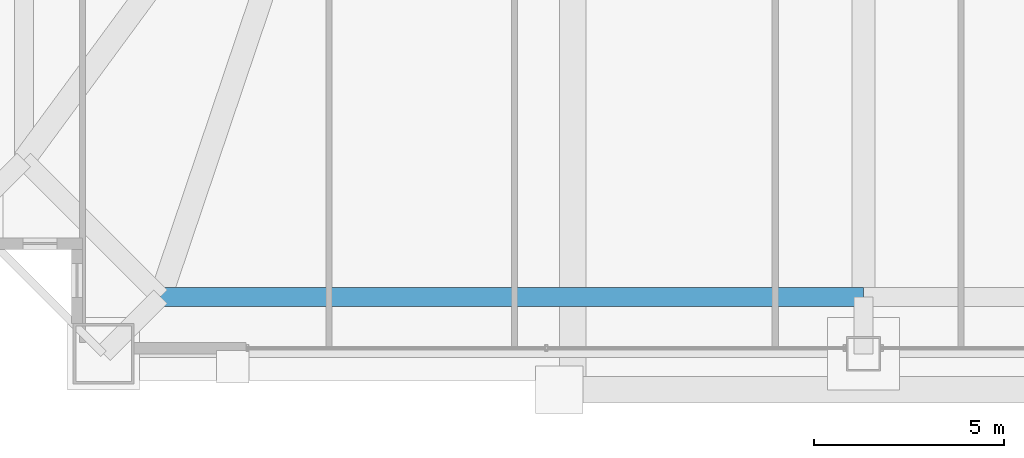
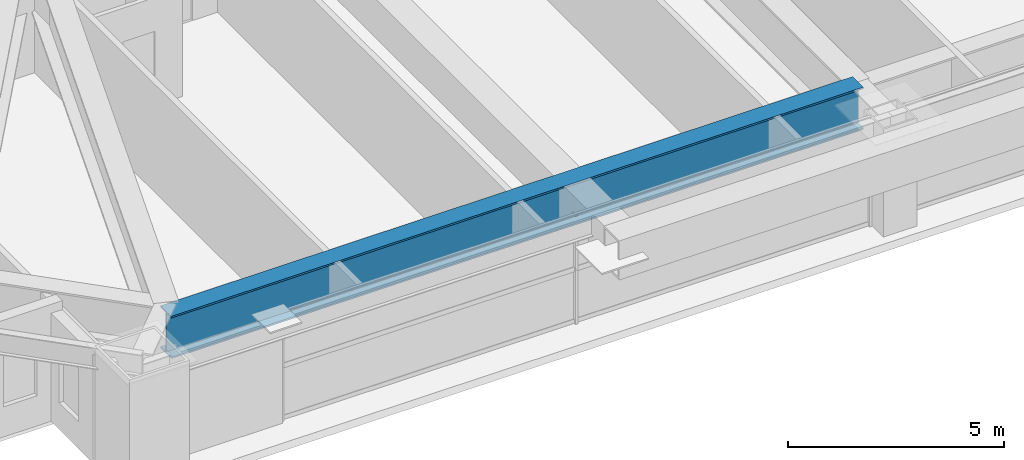
# One storey, part 7 of 45: 1 beam.
"""IFC4 building model written with IfcOpenShell, lengths in metres."""

from ifc_helpers import new_model, si_unit, direction, frame, origin, origin_2d, place, context, subcontext, project, spatial, i_section, extrude, source, transform, mapped, material, material_profile, profile_set, type_object, element, save


model = new_model("IFC4")

# Units and contexts
model_context = context("Model", 3, precision=1e-05, world=origin(), true_north=direction((0.0, 1.0)))
body_context = subcontext(model_context, "Body", "Model", "MODEL_VIEW")
ifc_project = project(units=[si_unit("LENGTHUNIT", "METRE"), si_unit("AREAUNIT", "SQUARE_METRE"), si_unit("VOLUMEUNIT", "CUBIC_METRE"), si_unit("PLANEANGLEUNIT", "RADIAN"), si_unit("MASSUNIT", "GRAM", prefix="KILO"), si_unit("THERMODYNAMICTEMPERATUREUNIT", "KELVIN"), si_unit("POWERUNIT", "WATT")], contexts=[model_context])

# Site, building, storey
site_placement = place(None, origin())
site = spatial("IfcSite", under=ifc_project, at=site_placement, CompositionType="ELEMENT")
building_placement = place(site_placement, origin())
building = spatial("IfcBuilding", under=site, at=building_placement, Name="Yuzanri Waterfront Tower", CompositionType="ELEMENT")
storey_placement = place(building_placement, frame((0.0, 0.0, 163.199951171875)))
storey = spatial("IfcBuildingStorey", under=building, at=storey_placement, Name="L43", CompositionType="ELEMENT", Elevation=163.199951171875)

# Beam
ifc_material = material(Name="Steel Q420GJC", Category="steel")
ifc_material_profile = material_profile(ifc_material, i_section(OverallWidth=0.5, OverallDepth=1.199951171875, WebThickness=0.028076171875, FlangeThickness=0.050048828125, at=origin_2d()), Name="PG 1200x500x28x50")
ifc_profile_set = profile_set([ifc_material_profile], Name="Steel Q420GJC")
beam_type = type_object("IfcBeamType", Name="Setback Transfer Girder Q420GJC PG 1200x500", PredefinedType="USERDEFINED", material=ifc_profile_set)
shared_shape = source(origin(), body_context, "Body", "SweptSolid", [
    extrude(i_section(OverallWidth=0.5, OverallDepth=1.199951171875, WebThickness=0.028076171875, FlangeThickness=0.050048828125, at=origin_2d()), origin(), (0.0, 0.0, 1.0), 18.5),
])
beam_placement = place(storey_placement, frame((18.5, 3.699951171875, 2.449951171875), z_axis=(1.0, 0.0, 0.0), x_axis=(0.0, 1.0, 0.0)))
element("IfcBeam", 1, at=beam_placement, inside=storey, type_object=beam_type, Name="L43 Setback Upper Ring S1-S2", ObjectType="GIRDER", PredefinedType="USERDEFINED", context=body_context, shape_type="MappedRepresentation", body=[
    mapped(shared_shape, transform((0.0, 0.0, 0.0), scale=1.0)),
])

save(model, "model.ifc")
